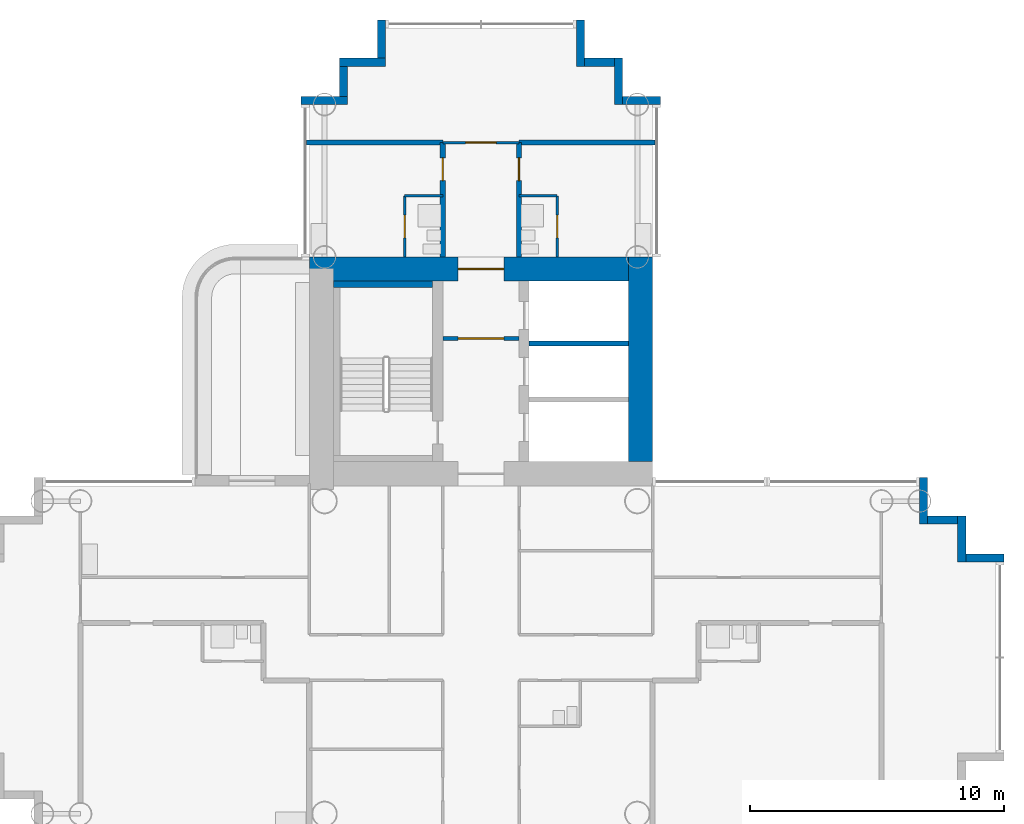
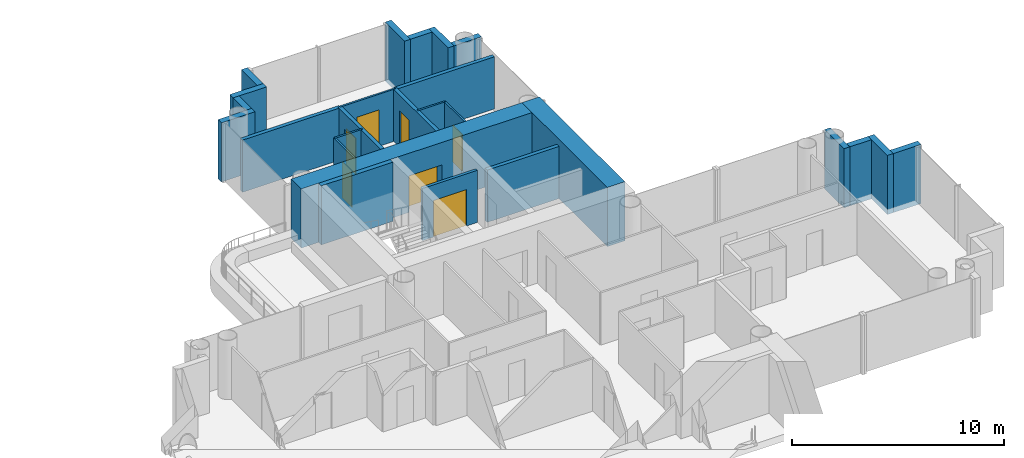
# One storey, part 14 of 21: 26 walls, 7 doors, 7 openings.
"""IFC4 building model written with IfcOpenShell, lengths in metres."""

import ifcopenshell
import ifcopenshell.guid

model = None  # the IFC model being written
_history = None  # IfcOwnerHistory: only IFC2X3 demands one
_inside = {}  # id of a spatial element -> (the spatial element, [elements in it])
_under = {}  # id of a project, library or spatial element -> (it, [spatial elements below it])
_declared = {}  # id of a project -> (the project, [libraries it declares])
_typed = {}  # id of a type object -> (the type object, [elements of that type])
_made_of = {}  # id of a material, layer set ... -> (it, [elements and type objects made of it])


def new_model(schema):
    """Start an empty IFC model of exactly this schema.

    Asked for "IFC4X3", IfcOpenShell would pick the latest addendum, in which some entities
    have other attributes; the version numbers below select the first issue.
    IFC2X3 requires an IfcOwnerHistory on every rooted entity: one is made here for all.
    """
    global model, _history
    if schema == "IFC4X3":
        model = ifcopenshell.file(schema_version=(4, 3, 0, 0))
    else:
        model = ifcopenshell.file(schema=schema)
    _inside.clear()
    _under.clear()
    _declared.clear()
    _typed.clear()
    _made_of.clear()
    _history = None
    if model.schema == "IFC2X3":
        org = make("IfcOrganization", Name="unknown")
        user = make(
            "IfcPersonAndOrganization",
            ThePerson=make("IfcPerson", FamilyName="unknown"),
            TheOrganization=org,
        )
        app = make(
            "IfcApplication",
            ApplicationDeveloper=org,
            Version="unknown",
            ApplicationFullName="unknown",
            ApplicationIdentifier="unknown",
        )
        _history = make(
            "IfcOwnerHistory",
            OwningUser=user,
            OwningApplication=app,
            ChangeAction="ADDED",
            CreationDate=0,
        )
    return model


def make(cls, **values):
    """One entity of the class cls with the attributes given. An attribute that is None is left unset."""
    return model.create_entity(
        cls, **{name: value for name, value in values.items() if value is not None}
    )


def rooted(cls, **values):
    """An entity with a GlobalId (a new one), such as an element, a storey or a relation."""
    return make(cls, GlobalId=ifcopenshell.guid.new(), OwnerHistory=_history, **values)


def si_unit(unit_type, name, prefix=None):
    """IfcSIUnit, for example si_unit("LENGTHUNIT", "METRE", prefix="MILLI")."""
    return make("IfcSIUnit", UnitType=unit_type, Prefix=prefix, Name=name)


def assignment(units):
    """IfcUnitAssignment: the units of a project."""
    return None if units is None else make("IfcUnitAssignment", Units=units)


def point(xyz):
    """IfcCartesianPoint."""
    return None if xyz is None else make("IfcCartesianPoint", Coordinates=xyz)


def direction(xyz):
    """IfcDirection."""
    return None if xyz is None else make("IfcDirection", DirectionRatios=xyz)


def frame(location, z_axis=None, x_axis=None):
    """IfcAxis2Placement3D, a coordinate frame: its origin and axes. An axis left out is left unset."""
    return make(
        "IfcAxis2Placement3D",
        Location=point(location),
        Axis=direction(z_axis),
        RefDirection=direction(x_axis),
    )


def frame_2d(location, x_axis=None):
    """IfcAxis2Placement2D, a coordinate frame in the plane: its origin and x axis."""
    return make(
        "IfcAxis2Placement2D", Location=point(location), RefDirection=direction(x_axis)
    )


def origin():
    """The frame at (0, 0, 0) with its axes left unset."""
    return frame((0.0, 0.0, 0.0))


def place(relative_to, where):
    """IfcLocalPlacement: puts the frame where relative to a parent placement (None: the world)."""
    return make(
        "IfcLocalPlacement", PlacementRelTo=relative_to, RelativePlacement=where
    )


def context(
    kind, dimensions, precision=None, world=None, true_north=None, identifier=None
):
    """IfcGeometricRepresentationContext, for example the 3D "Model" context."""
    return make(
        "IfcGeometricRepresentationContext",
        ContextIdentifier=identifier,
        ContextType=kind,
        CoordinateSpaceDimension=dimensions,
        Precision=precision,
        WorldCoordinateSystem=world,
        TrueNorth=true_north,
    )


def subcontext(parent, identifier, kind, view, scale=None):
    """IfcGeometricRepresentationSubContext, for example "Body" below "Model"."""
    return make(
        "IfcGeometricRepresentationSubContext",
        ContextIdentifier=identifier,
        ContextType=kind,
        ParentContext=parent,
        TargetScale=scale,
        TargetView=view,
    )


def project(units=None, contexts=None):
    """IfcProject with its units and contexts."""
    return rooted(
        "IfcProject",
        Name="project",
        RepresentationContexts=contexts,
        UnitsInContext=assignment(units),
    )


def spatial(cls, under=None, at=None, **own):
    """A site, building, storey or space (cls), placed at a placement, below another one or the project."""
    s = rooted(cls, ObjectPlacement=at, **own)
    if under is not None:
        _under.setdefault(under.id(), (under, []))[1].append(s)
    return s


def profile(cls, at=None, kind="AREA", **sizes):
    """A parametric profile (cls). Its sizes go by their IFC names, for example OverallWidth=200.0."""
    return make(cls, ProfileType=kind, Position=at, **sizes)


def rectangle(**sizes):
    """IfcRectangleProfileDef."""
    return profile("IfcRectangleProfileDef", **sizes)


def extrude(swept, where, along, depth):
    """IfcExtrudedAreaSolid: the profile swept, set in the frame where, extruded along a direction by depth."""
    return make(
        "IfcExtrudedAreaSolid",
        SweptArea=swept,
        Position=where,
        ExtrudedDirection=direction(along),
        Depth=depth,
    )


def shape(context_of_items, identifier, shape_type, items):
    """IfcShapeRepresentation: the items that make up one representation, for example the "Body"."""
    return make(
        "IfcShapeRepresentation",
        ContextOfItems=context_of_items,
        RepresentationIdentifier=identifier,
        RepresentationType=shape_type,
        Items=items,
    )


def material(Name=None, Category=None):
    """IfcMaterial."""
    return make("IfcMaterial", Name=Name, Category=Category)


def layer(
    of_material, thickness, ventilated=None, Name=None, Category=None, Priority=None
):
    """IfcMaterialLayer: one layer of a wall or slab, of a material (None: an air gap)."""
    return make(
        "IfcMaterialLayer",
        Material=of_material,
        LayerThickness=thickness,
        IsVentilated=ventilated,
        Name=Name,
        Category=Category,
        Priority=Priority,
    )


def layer_set(layers, Name=None):
    """IfcMaterialLayerSet."""
    return make("IfcMaterialLayerSet", MaterialLayers=layers, LayerSetName=Name)


def made_of(thing, what):
    """Note that an element or type object is made of a material, layer set ...; save() writes the relation."""
    if what is not None:
        _made_of.setdefault(what.id(), (what, []))[1].append(thing)
    return thing


def type_object(cls, material=None, **own):
    """A type object (cls), such as IfcWallType, which elements share."""
    return made_of(rooted(cls, **own), material)


def element(
    cls,
    number,
    at=None,
    inside=None,
    cuts=None,
    type_object=None,
    material=None,
    context=None,
    identifier="Body",
    shape_type=None,
    held_by="IfcProductDefinitionShape",
    body=None,
    shapes=None,
    **own,
):
    """One element of the class cls, such as IfcWall. Its Tag is "e" and its number.

    at: its placement. inside: the storey or other place that contains it. cuts: it is an
    opening in that element (IfcRelVoidsElement). A single representation is given by context,
    identifier, shape_type and body (its items); several are given by shapes. held_by: the class
    of the entity that holds the representations. save() writes the other relations.
    """
    e = rooted(cls, Tag="e%d" % number, ObjectPlacement=at, **own)
    if body is not None:
        shapes = [shape(context, identifier, shape_type, body)]
    if shapes is not None:
        e.Representation = make(held_by, Representations=shapes)
    if inside is not None:
        _inside.setdefault(inside.id(), (inside, []))[1].append(e)
    if cuts is not None:
        rooted(
            "IfcRelVoidsElement", RelatingBuildingElement=cuts, RelatedOpeningElement=e
        )
    if type_object is not None:
        _typed.setdefault(type_object.id(), (type_object, []))[1].append(e)
    return made_of(e, material)


def fill(opening, filler):
    """IfcRelFillsElement: the door or window that sits in an opening."""
    return rooted(
        "IfcRelFillsElement",
        RelatingOpeningElement=opening,
        RelatedBuildingElement=filler,
    )


def aggregate(whole, parts):
    """IfcRelAggregates: a whole, such as a stair, and the parts it consists of."""
    return rooted("IfcRelAggregates", RelatingObject=whole, RelatedObjects=parts)


def save(model, path):
    """Write the relations noted so far, then the file.

    IfcRelAggregates (storeys below a building ...), IfcRelContainedInSpatialStructure (elements
    in a storey), IfcRelDefinesByType, IfcRelAssociatesMaterial and IfcRelDeclares: one each for
    every whole, place, type object, material and project.
    """
    for whole, parts in _under.values():
        aggregate(whole, parts)
    for where, things in _inside.values():
        rooted(
            "IfcRelContainedInSpatialStructure",
            RelatedElements=things,
            RelatingStructure=where,
        )
    for kind, things in _typed.values():
        rooted("IfcRelDefinesByType", RelatedObjects=things, RelatingType=kind)
    for what, things in _made_of.values():
        rooted("IfcRelAssociatesMaterial", RelatedObjects=things, RelatingMaterial=what)
    for by, libraries in _declared.values():
        rooted("IfcRelDeclares", RelatingContext=by, RelatedDefinitions=libraries)
    model.write(path)


model = new_model("IFC4")

# Units and contexts
model_context = context("Model", 3, precision=1e-05, world=origin(), true_north=direction((0.0, 1.0)))
body_context = subcontext(model_context, "Body", "Model", "MODEL_VIEW")
ifc_project = project(units=[si_unit("LENGTHUNIT", "METRE"), si_unit("AREAUNIT", "SQUARE_METRE"), si_unit("VOLUMEUNIT", "CUBIC_METRE"), si_unit("PLANEANGLEUNIT", "RADIAN"), si_unit("MASSUNIT", "GRAM", prefix="KILO")], contexts=[model_context])

# Site, building, storey
site_placement = place(None, origin())
site = spatial("IfcSite", under=ifc_project, at=site_placement, CompositionType="ELEMENT")
building_placement = place(site_placement, origin())
building = spatial("IfcBuilding", under=site, at=building_placement, Name="Ipe Terrace Towers", CompositionType="ELEMENT")
storey_placement = place(building_placement, frame((0.0, 0.0, 103.800048828125)))
storey = spatial("IfcBuildingStorey", under=building, at=storey_placement, Name="L28", CompositionType="ELEMENT", Elevation=103.800048828125)

# Walls
ifc_material_1 = material(Name="Concrete C40/50 with buff precast cladding", Category="concrete")
ifc_layer_1 = layer(ifc_material_1, 0.320068359375)
ifc_layer_set_1 = layer_set([ifc_layer_1], Name="BUFF CLADDING WALL 320")
wall_type_1 = type_object("IfcWallType", Name="BUFF CLADDING WALL 320", PredefinedType="STANDARD", material=ifc_layer_set_1)
wall_1_placement = place(storey_placement, frame((56.570068359375, 3.909912109375, -0.300048828125), z_axis=(0.0, 0.0, 1.0), x_axis=(-1.0, 0.0, 0.0)))
element("IfcWall", 1, at=wall_1_placement, inside=storey, type_object=wall_type_1, Name="T2-W-L28-09a wall", PredefinedType="STANDARD", context=body_context, shape_type="SweptSolid", body=[
    extrude(rectangle(XDim=1.5, YDim=0.320068359375, at=frame_2d((0.75, 0.0))), origin(), (0.0, 0.0, 1.0), 3.39990234375),
])
wall_2_placement = place(storey_placement, frame((54.909912109375, 3.75, -0.300048828125), z_axis=(0.0, 0.0, 1.0), x_axis=(0.0, 1.0, 0.0)))
element("IfcWall", 2, at=wall_2_placement, inside=storey, type_object=wall_type_1, Name="T2-W-L28-10a wall", PredefinedType="STANDARD", context=body_context, shape_type="SweptSolid", body=[
    extrude(rectangle(XDim=1.820068359375, YDim=0.320068359375, at=frame_2d((0.91015625, 0.0))), origin(), (0.0, 0.0, 1.0), 3.39990234375),
])
wall_3_placement = place(storey_placement, frame((54.75, 5.409912109375, -0.300048828125), z_axis=(0.0, 0.0, 1.0), x_axis=(-1.0, 0.0, 0.0)))
element("IfcWall", 3, at=wall_3_placement, inside=storey, type_object=wall_type_1, Name="T2-W-L28-11a wall", PredefinedType="STANDARD", context=body_context, shape_type="SweptSolid", body=[
    extrude(rectangle(XDim=1.179931640625, YDim=0.320068359375, at=frame_2d((0.58984375, 0.0))), origin(), (0.0, 0.0, 1.0), 3.39990234375),
])
wall_4_placement = place(storey_placement, frame((53.409912109375, 5.25, -0.300048828125), z_axis=(0.0, 0.0, 1.0), x_axis=(0.0, 1.0, 0.0)))
element("IfcWall", 4, at=wall_4_placement, inside=storey, type_object=wall_type_1, Name="T2-W-L28-12a wall", PredefinedType="STANDARD", context=body_context, shape_type="SweptSolid", body=[
    extrude(rectangle(XDim=1.820068359375, YDim=0.320068359375, at=frame_2d((0.91015625, 0.0))), origin(), (0.0, 0.0, 1.0), 3.39990234375),
])
wall_5_placement = place(storey_placement, frame((43.070068359375, 21.909912109375, -0.300048828125), z_axis=(0.0, 0.0, 1.0), x_axis=(-1.0, 0.0, 0.0)))
element("IfcWall", 5, at=wall_5_placement, inside=storey, type_object=wall_type_1, Name="T2-W-L28-17a wall", PredefinedType="STANDARD", context=body_context, shape_type="SweptSolid", body=[
    extrude(rectangle(XDim=1.5, YDim=0.320068359375, at=frame_2d((0.75, 0.0))), origin(), (0.0, 0.0, 1.0), 3.39990234375),
])
wall_6_placement = place(storey_placement, frame((41.409912109375, 21.75, -0.300048828125), z_axis=(0.0, 0.0, 1.0), x_axis=(0.0, 1.0, 0.0)))
element("IfcWall", 6, at=wall_6_placement, inside=storey, type_object=wall_type_1, Name="T2-W-L28-18a wall", PredefinedType="STANDARD", context=body_context, shape_type="SweptSolid", body=[
    extrude(rectangle(XDim=1.820068359375, YDim=0.320068359375, at=frame_2d((0.91015625, 0.0))), origin(), (0.0, 0.0, 1.0), 3.39990234375),
])
wall_7_placement = place(storey_placement, frame((41.25, 23.409912109375, -0.300048828125), z_axis=(0.0, 0.0, 1.0), x_axis=(-1.0, 0.0, 0.0)))
element("IfcWall", 7, at=wall_7_placement, inside=storey, type_object=wall_type_1, Name="T2-W-L28-19a wall", PredefinedType="STANDARD", context=body_context, shape_type="SweptSolid", body=[
    extrude(rectangle(XDim=1.179931640625, YDim=0.320068359375, at=frame_2d((0.58984375, 0.0))), origin(), (0.0, 0.0, 1.0), 3.39990234375),
])
wall_8_placement = place(storey_placement, frame((39.909912109375, 23.25, -0.300048828125), z_axis=(0.0, 0.0, 1.0), x_axis=(0.0, 1.0, 0.0)))
element("IfcWall", 8, at=wall_8_placement, inside=storey, type_object=wall_type_1, Name="T2-W-L28-20a wall", PredefinedType="STANDARD", context=body_context, shape_type="SweptSolid", body=[
    extrude(rectangle(XDim=1.820068359375, YDim=0.320068359375, at=frame_2d((0.91015625, 0.0))), origin(), (0.0, 0.0, 1.0), 3.39990234375),
])
wall_9_placement = place(storey_placement, frame((32.090087890625, 25.070068359375, -0.300048828125), z_axis=(0.0, 0.0, 1.0), x_axis=(0.0, -1.0, 0.0)))
element("IfcWall", 9, at=wall_9_placement, inside=storey, type_object=wall_type_1, Name="T2-W-L28-22a wall", PredefinedType="STANDARD", context=body_context, shape_type="SweptSolid", body=[
    extrude(rectangle(XDim=1.5, YDim=0.320068359375, at=frame_2d((0.75, 0.0))), origin(), (0.0, 0.0, 1.0), 3.39990234375),
])
wall_10_placement = place(storey_placement, frame((32.25, 23.409912109375, -0.300048828125), z_axis=(0.0, 0.0, 1.0), x_axis=(-1.0, 0.0, 0.0)))
element("IfcWall", 10, at=wall_10_placement, inside=storey, type_object=wall_type_1, Name="T2-W-L28-23a wall", PredefinedType="STANDARD", context=body_context, shape_type="SweptSolid", body=[
    extrude(rectangle(XDim=1.820068359375, YDim=0.320068359375, at=frame_2d((0.91015625, 0.0))), origin(), (0.0, 0.0, 1.0), 3.39990234375),
])
wall_11_placement = place(storey_placement, frame((30.590087890625, 23.25, -0.300048828125), z_axis=(0.0, 0.0, 1.0), x_axis=(0.0, -1.0, 0.0)))
element("IfcWall", 11, at=wall_11_placement, inside=storey, type_object=wall_type_1, Name="T2-W-L28-24a wall", PredefinedType="STANDARD", context=body_context, shape_type="SweptSolid", body=[
    extrude(rectangle(XDim=1.179931640625, YDim=0.320068359375, at=frame_2d((0.58984375, 0.0))), origin(), (0.0, 0.0, 1.0), 3.39990234375),
])
wall_12_placement = place(storey_placement, frame((30.75, 21.909912109375, -0.300048828125), z_axis=(0.0, 0.0, 1.0), x_axis=(-1.0, 0.0, 0.0)))
element("IfcWall", 12, at=wall_12_placement, inside=storey, type_object=wall_type_1, Name="T2-W-L28-25a wall", PredefinedType="STANDARD", context=body_context, shape_type="SweptSolid", body=[
    extrude(rectangle(XDim=1.820068359375, YDim=0.320068359375, at=frame_2d((0.91015625, 0.0))), origin(), (0.0, 0.0, 1.0), 3.39990234375),
])
ifc_material_2 = material(Name="Gypsum board partition", Category="plasterboard")
ifc_layer_2 = layer(ifc_material_2, 0.10009765625)
ifc_layer_set_2 = layer_set([ifc_layer_2], Name="Gypsum board partition 100 mm")
wall_type_2 = type_object("IfcWallType", Name="Gypsum board partition 100 mm", PredefinedType="PARTITIONING", material=ifc_layer_set_2)
for number, where, z_axis, x_axis, name in (
    (13, (39.0, 18.14990234375, 0.0), (0.0, 0.0, 1.0), (-1.0, 0.0, 0.0), "Gypsum board partition T2 L28 W16"),
    (14, (34.5, 18.14990234375, 0.0), (0.0, 0.0, 1.0), (-1.0, 0.0, 0.0), "Gypsum board partition T2 L28 W17"),
):
    element("IfcWall", number, at=place(storey_placement, frame(where, z_axis=z_axis, x_axis=x_axis)), inside=storey, type_object=wall_type_2, Name=name, PredefinedType="PARTITIONING", context=body_context, shape_type="SweptSolid", body=[
        extrude(rectangle(XDim=1.5, YDim=0.10009765625, at=frame_2d((0.75, 0.0))), origin(), (0.0, 0.0, 1.0), 3.0),
    ])

# Wall, opening, door
wall_13_placement = place(storey_placement, frame((37.5, 20.25, 0.0), z_axis=(0.0, 0.0, 1.0), x_axis=(-1.0, 0.0, 0.0)))
wall_13 = element("IfcWall", 15, at=wall_13_placement, inside=storey, type_object=wall_type_2, Name="Gypsum board partition T2 L28 W18", PredefinedType="PARTITIONING", context=body_context, shape_type="SweptSolid", body=[
    extrude(rectangle(XDim=3.0, YDim=0.10009765625, at=frame_2d((1.5, 0.0))), origin(), (0.0, 0.0, 1.0), 3.0),
])
opening_1_placement = place(wall_13_placement, frame((0.89990234375, 0.0, 0.0)))
opening_1 = element("IfcOpeningElement", 16, at=opening_1_placement, cuts=wall_13, Name="Opening T2-Z2E-21", PredefinedType="OPENING", context=body_context, shape_type="SweptSolid", body=[
    extrude(rectangle(XDim=1.199951171875, YDim=2.10009765625, at=frame_2d((0.60009765625, 1.050048828125))), frame((0.0, 0.06005859375, 0.0), z_axis=(0.0, -1.0, 0.0), x_axis=(1.0, 0.0, 0.0)), (0.0, 0.0, 1.0), 0.1201171875),
])
ifc_material_3 = material(Name="Timber door leaf", Category="wood")
door_type_1 = type_object("IfcDoorType", Name="Lounge door 1200 x 2100", OperationType="NOTDEFINED", PredefinedType="DOOR", material=ifc_material_3)
door_1_placement = place(opening_1_placement, origin())
door_1 = element("IfcDoor", 17, at=door_1_placement, inside=storey, type_object=door_type_1, Name="Lounge door T2-Z2E-21", OperationType="SINGLE_SWING_RIGHT", OverallHeight=2.10009765625, OverallWidth=1.199951171875, PredefinedType="DOOR", context=body_context, shape_type="SweptSolid", body=[
    extrude(rectangle(XDim=1.199951171875, YDim=2.10009765625, at=frame_2d((0.60009765625, 1.050048828125))), frame((0.0, 0.02490234375, 0.0), z_axis=(0.0, -1.0, 0.0), x_axis=(1.0, 0.0, 0.0)), (0.0, 0.0, 1.0), 0.050048828125),
])
fill(opening_1, door_1)

wall_14_placement = place(storey_placement, frame((39.0, 15.75, 0.0), z_axis=(0.0, 0.0, 1.0), x_axis=(0.0, 1.0, 0.0)))
wall_14 = element("IfcWall", 18, at=wall_14_placement, inside=storey, type_object=wall_type_2, Name="Gypsum board partition T2 L28 W28", PredefinedType="PARTITIONING", context=body_context, shape_type="SweptSolid", body=[
    extrude(rectangle(XDim=2.39990234375, YDim=0.10009765625, at=frame_2d((1.199951171875, 0.0))), origin(), (0.0, 0.0, 1.0), 3.0),
])
opening_2_placement = place(wall_14_placement, frame((0.75, 0.0, 0.0)))
opening_2 = element("IfcOpeningElement", 19, at=opening_2_placement, cuts=wall_14, Name="Opening T2-Z2E-20", PredefinedType="OPENING", context=body_context, shape_type="SweptSolid", body=[
    extrude(rectangle(XDim=0.89990234375, YDim=2.10009765625, at=frame_2d((0.449951171875, 1.050048828125))), frame((0.0, 0.06005859375, 0.0), z_axis=(0.0, -1.0, 0.0), x_axis=(1.0, 0.0, 0.0)), (0.0, 0.0, 1.0), 0.1201171875),
])
ifc_material_4 = material(Name="Timber door leaf", Category="wood")
door_type_2 = type_object("IfcDoorType", Name="Bathroom door 900 x 2100", OperationType="NOTDEFINED", PredefinedType="DOOR", material=ifc_material_4)
door_2_placement = place(opening_2_placement, origin())
door_2 = element("IfcDoor", 20, at=door_2_placement, inside=storey, type_object=door_type_2, Name="Bathroom door T2-Z2E-20", OperationType="SINGLE_SWING_LEFT", OverallHeight=2.10009765625, OverallWidth=0.89990234375, PredefinedType="DOOR", context=body_context, shape_type="SweptSolid", body=[
    extrude(rectangle(XDim=0.89990234375, YDim=2.10009765625, at=frame_2d((0.449951171875, 1.050048828125))), frame((0.0, 0.02490234375, 0.0), z_axis=(0.0, -1.0, 0.0), x_axis=(1.0, 0.0, 0.0)), (0.0, 0.0, 1.0), 0.050048828125),
])
fill(opening_2, door_2)

wall_15_placement = place(storey_placement, frame((33.0, 15.75, 0.0), z_axis=(0.0, 0.0, 1.0), x_axis=(0.0, 1.0, 0.0)))
wall_15 = element("IfcWall", 21, at=wall_15_placement, inside=storey, type_object=wall_type_2, Name="Gypsum board partition T2 L28 W35", PredefinedType="PARTITIONING", context=body_context, shape_type="SweptSolid", body=[
    extrude(rectangle(XDim=2.39990234375, YDim=0.10009765625, at=frame_2d((1.199951171875, 0.0))), origin(), (0.0, 0.0, 1.0), 3.0),
])
opening_3_placement = place(wall_15_placement, frame((0.75, 0.0, 0.0)))
opening_3 = element("IfcOpeningElement", 22, at=opening_3_placement, cuts=wall_15, Name="Opening T2-Z2E-18", PredefinedType="OPENING", context=body_context, shape_type="SweptSolid", body=[
    extrude(rectangle(XDim=0.89990234375, YDim=2.10009765625, at=frame_2d((0.449951171875, 1.050048828125))), frame((0.0, 0.06005859375, 0.0), z_axis=(0.0, -1.0, 0.0), x_axis=(1.0, 0.0, 0.0)), (0.0, 0.0, 1.0), 0.1201171875),
])
door_3_placement = place(opening_3_placement, origin())
door_3 = element("IfcDoor", 23, at=door_3_placement, inside=storey, type_object=door_type_2, Name="Bathroom door T2-Z2E-18", OperationType="SINGLE_SWING_RIGHT", OverallHeight=2.10009765625, OverallWidth=0.89990234375, PredefinedType="DOOR", context=body_context, shape_type="SweptSolid", body=[
    extrude(rectangle(XDim=0.89990234375, YDim=2.10009765625, at=frame_2d((0.449951171875, 1.050048828125))), frame((0.0, 0.02490234375, 0.0), z_axis=(0.0, -1.0, 0.0), x_axis=(1.0, 0.0, 0.0)), (0.0, 0.0, 1.0), 0.050048828125),
])
fill(opening_3, door_3)

ifc_material_5 = material(Name="Gypsum board partition", Category="plasterboard")
ifc_layer_3 = layer(ifc_material_5, 0.14990234375)
ifc_layer_set_3 = layer_set([ifc_layer_3], Name="Gypsum board partition 150 mm")
wall_type_3 = type_object("IfcWallType", Name="Gypsum board partition 150 mm", PredefinedType="PARTITIONING", material=ifc_layer_set_3)
wall_16_placement = place(storey_placement, frame((37.5, 12.550048828125, 0.0), z_axis=(0.0, 0.0, 1.0), x_axis=(-1.0, 0.0, 0.0)))
wall_16 = element("IfcWall", 24, at=wall_16_placement, inside=storey, type_object=wall_type_3, Name="Gypsum board partition T2 L28 t2c1-lobby-wall", PredefinedType="PARTITIONING", context=body_context, shape_type="SweptSolid", body=[
    extrude(rectangle(XDim=3.0, YDim=0.14990234375, at=frame_2d((1.5, 0.0))), origin(), (0.0, 0.0, 1.0), 3.0),
])
opening_4_placement = place(wall_16_placement, frame((0.60009765625, 0.0, 0.0)))
opening_4 = element("IfcOpeningElement", 25, at=opening_4_placement, cuts=wall_16, Name="Opening T2C1-VD", PredefinedType="OPENING", context=body_context, shape_type="SweptSolid", body=[
    extrude(rectangle(XDim=1.800048828125, YDim=2.10009765625, at=frame_2d((0.89990234375, 1.050048828125))), frame((0.0, 0.0849609375, 0.0), z_axis=(0.0, -1.0, 0.0), x_axis=(1.0, 0.0, 0.0)), (0.0, 0.0, 1.0), 0.169921875),
])
ifc_material_6 = material(Name="Fire-rated timber door leaf", Category="wood")
door_type_3 = type_object("IfcDoorType", Name="Lobby door 1800 x 2100 FD60", OperationType="NOTDEFINED", PredefinedType="DOOR", material=ifc_material_6)
door_4_placement = place(opening_4_placement, origin())
door_4 = element("IfcDoor", 26, at=door_4_placement, inside=storey, type_object=door_type_3, Name="Lobby door T2C1-VD", OperationType="SINGLE_SWING_LEFT", OverallHeight=2.10009765625, OverallWidth=1.800048828125, PredefinedType="DOOR", context=body_context, shape_type="SweptSolid", body=[
    extrude(rectangle(XDim=1.800048828125, YDim=2.10009765625, at=frame_2d((0.89990234375, 1.050048828125))), frame((0.0, 0.02490234375, 0.0), z_axis=(0.0, -1.0, 0.0), x_axis=(1.0, 0.0, 0.0)), (0.0, 0.0, 1.0), 0.050048828125),
])
fill(opening_4, door_4)

# Walls
ifc_material_7 = material(Name="Gypsum board party wall", Category="plasterboard")
ifc_layer_4 = layer(ifc_material_7, 0.199951171875)
ifc_layer_set_4 = layer_set([ifc_layer_4], Name="Gypsum board party wall 200 mm")
wall_type_4 = type_object("IfcWallType", Name="Gypsum board party wall 200 mm", PredefinedType="SOLIDWALL", material=ifc_layer_set_4)
wall_17_placement = place(storey_placement, frame((41.800048828125, 12.35009765625, 0.0), z_axis=(0.0, 0.0, 1.0), x_axis=(-1.0, 0.0, 0.0)))
element("IfcWall", 27, at=wall_17_placement, inside=storey, type_object=wall_type_4, Name="Gypsum board party wall T2 L28 t2c1-shaft-div2", PredefinedType="SOLIDWALL", context=body_context, shape_type="SweptSolid", body=[
    extrude(rectangle(XDim=3.900146484375, YDim=0.199951171875, at=frame_2d((1.9501953125, 0.0))), origin(), (0.0, 0.0, 1.0), 3.0),
])
for number, where, z_axis, x_axis, name in (
    (28, (42.85009765625, 20.25, 0.0), (0.0, 0.0, 1.0), (-1.0, 0.0, 0.0), "Gypsum board party wall T2 L28 W19"),
    (29, (34.5, 20.25, 0.0), (0.0, 0.0, 1.0), (-1.0, 0.0, 0.0), "Gypsum board party wall T2 L28 W20"),
):
    element("IfcWall", number, at=place(storey_placement, frame(where, z_axis=z_axis, x_axis=x_axis)), inside=storey, type_object=wall_type_4, Name=name, PredefinedType="SOLIDWALL", context=body_context, shape_type="SweptSolid", body=[
        extrude(rectangle(XDim=5.35009765625, YDim=0.199951171875, at=frame_2d((2.675048828125, 0.0))), origin(), (0.0, 0.0, 1.0), 3.0),
    ])

# Wall, opening, door
wall_18_placement = place(storey_placement, frame((37.5, 15.75, 0.0), z_axis=(0.0, 0.0, 1.0), x_axis=(0.0, 1.0, 0.0)))
wall_18 = element("IfcWall", 30, at=wall_18_placement, inside=storey, type_object=wall_type_4, Name="Gypsum board party wall T2 L28 W31", PredefinedType="SOLIDWALL", context=body_context, shape_type="SweptSolid", body=[
    extrude(rectangle(XDim=4.5, YDim=0.199951171875, at=frame_2d((2.25, 0.0))), origin(), (0.0, 0.0, 1.0), 3.0),
])
opening_5_placement = place(wall_18_placement, frame((3.0, 0.0, 0.0)))
opening_5 = element("IfcOpeningElement", 31, at=opening_5_placement, cuts=wall_18, Name="Opening T2-Z2E-19", PredefinedType="OPENING", context=body_context, shape_type="SweptSolid", body=[
    extrude(rectangle(XDim=0.89990234375, YDim=2.10009765625, at=frame_2d((0.449951171875, 1.050048828125))), frame((0.0, 0.10986328125, 0.0), z_axis=(0.0, -1.0, 0.0), x_axis=(1.0, 0.0, 0.0)), (0.0, 0.0, 1.0), 0.219970703125),
])
ifc_material_8 = material(Name="Fire-rated timber door leaf", Category="wood")
door_type_4 = type_object("IfcDoorType", Name="Flat entrance door 900 x 2100 FD30S", OperationType="NOTDEFINED", PredefinedType="DOOR", material=ifc_material_8)
door_5_placement = place(opening_5_placement, origin())
door_5 = element("IfcDoor", 32, at=door_5_placement, inside=storey, type_object=door_type_4, Name="Flat entrance door T2-Z2E-19", OperationType="SINGLE_SWING_RIGHT", OverallHeight=2.10009765625, OverallWidth=0.89990234375, PredefinedType="DOOR", context=body_context, shape_type="SweptSolid", body=[
    extrude(rectangle(XDim=0.89990234375, YDim=2.10009765625, at=frame_2d((0.449951171875, 1.050048828125))), frame((0.0, 0.02490234375, 0.0), z_axis=(0.0, -1.0, 0.0), x_axis=(1.0, 0.0, 0.0)), (0.0, 0.0, 1.0), 0.050048828125),
])
fill(opening_5, door_5)

wall_19_placement = place(storey_placement, frame((34.5, 15.75, 0.0), z_axis=(0.0, 0.0, 1.0), x_axis=(0.0, 1.0, 0.0)))
wall_19 = element("IfcWall", 33, at=wall_19_placement, inside=storey, type_object=wall_type_4, Name="Gypsum board party wall T2 L28 W34", PredefinedType="SOLIDWALL", context=body_context, shape_type="SweptSolid", body=[
    extrude(rectangle(XDim=4.5, YDim=0.199951171875, at=frame_2d((2.25, 0.0))), origin(), (0.0, 0.0, 1.0), 3.0),
])
opening_6_placement = place(wall_19_placement, frame((3.0, 0.0, 0.0)))
opening_6 = element("IfcOpeningElement", 34, at=opening_6_placement, cuts=wall_19, Name="Opening T2-Z2E-17", PredefinedType="OPENING", context=body_context, shape_type="SweptSolid", body=[
    extrude(rectangle(XDim=0.89990234375, YDim=2.10009765625, at=frame_2d((0.449951171875, 1.050048828125))), frame((0.0, 0.10986328125, 0.0), z_axis=(0.0, -1.0, 0.0), x_axis=(1.0, 0.0, 0.0)), (0.0, 0.0, 1.0), 0.219970703125),
])
door_6_placement = place(opening_6_placement, origin())
door_6 = element("IfcDoor", 35, at=door_6_placement, inside=storey, type_object=door_type_4, Name="Flat entrance door T2-Z2E-17", OperationType="SINGLE_SWING_LEFT", OverallHeight=2.10009765625, OverallWidth=0.89990234375, PredefinedType="DOOR", context=body_context, shape_type="SweptSolid", body=[
    extrude(rectangle(XDim=0.89990234375, YDim=2.10009765625, at=frame_2d((0.449951171875, 1.050048828125))), frame((0.0, 0.02490234375, 0.0), z_axis=(0.0, -1.0, 0.0), x_axis=(1.0, 0.0, 0.0)), (0.0, 0.0, 1.0), 0.050048828125),
])
fill(opening_6, door_6)

# Walls
ifc_material_9 = material(Name="Concrete C50/60", Category="concrete")
ifc_layer_5 = layer(ifc_material_9, 0.25)
ifc_layer_set_5 = layer_set([ifc_layer_5], Name="RW250 CORE INFILL WALL 250 C50-60")
wall_type_5 = type_object("IfcWallType", Name="RW250 CORE INFILL WALL 250 C50-60", PredefinedType="SHEAR", material=ifc_layer_set_5)
wall_20_placement = place(storey_placement, frame((34.10009765625, 14.675048828125, 0.0), z_axis=(0.0, 0.0, 1.0), x_axis=(-1.0, 0.0, 0.0)))
element("IfcWall", 36, at=wall_20_placement, inside=storey, type_object=wall_type_5, Name="Core infill wall T2-C1-far", PredefinedType="SHEAR", context=body_context, shape_type="SweptSolid", body=[
    extrude(rectangle(XDim=3.900146484375, YDim=0.25, at=frame_2d((1.9501953125, 0.0))), origin(), (0.0, 0.0, 1.0), 3.39990234375),
])
ifc_material_10 = material(Name="Concrete C50/60", Category="concrete")
ifc_layer_6 = layer(ifc_material_10, 0.949951171875)
ifc_layer_set_6 = layer_set([ifc_layer_6], Name="RW950 CORE WALL 950 C50-60")
wall_type_6 = type_object("IfcWallType", Name="RW950 CORE WALL 950 C50-60", PredefinedType="SHEAR", material=ifc_layer_set_6)
wall_21_placement = place(storey_placement, frame((42.27490234375, 7.699951171875, 0.0), z_axis=(0.0, 0.0, 1.0), x_axis=(0.0, 1.0, 0.0)))
element("IfcWall", 37, at=wall_21_placement, inside=storey, type_object=wall_type_6, Name="Core wall T2-C1-Z2-W02", PredefinedType="SHEAR", context=body_context, shape_type="SweptSolid", body=[
    extrude(rectangle(XDim=8.050048828125, YDim=0.949951171875, at=frame_2d((4.02490234375, 0.0))), origin(), (0.0, 0.0, 1.0), 3.39990234375),
])

# Wall, opening, door
wall_22_placement = place(storey_placement, frame((41.800048828125, 15.27490234375, 0.0), z_axis=(0.0, 0.0, 1.0), x_axis=(-1.0, 0.0, 0.0)))
wall_22 = element("IfcWall", 38, at=wall_22_placement, inside=storey, type_object=wall_type_6, Name="Core wall T2-C1-Z2-W03", PredefinedType="SHEAR", context=body_context, shape_type="SweptSolid", body=[
    extrude(rectangle(XDim=12.550048828125, YDim=0.949951171875, at=frame_2d((6.27490234375, 0.0))), origin(), (0.0, 0.0, 1.0), 3.39990234375),
])
opening_7_placement = place(wall_22_placement, frame((4.89990234375, 0.0, 0.0)))
opening_7 = element("IfcOpeningElement", 39, at=opening_7_placement, cuts=wall_22, Name="Opening T2C1-FD", PredefinedType="OPENING", context=body_context, shape_type="SweptSolid", body=[
    extrude(rectangle(XDim=1.800048828125, YDim=2.10009765625, at=frame_2d((0.89990234375, 1.050048828125))), frame((0.0, 0.48486328125, 0.0), z_axis=(0.0, -1.0, 0.0), x_axis=(1.0, 0.0, 0.0)), (0.0, 0.0, 1.0), 0.969970703125),
])
ifc_material_11 = material(Name="Fire-rated timber door leaf", Category="wood")
door_type_5 = type_object("IfcDoorType", Name="Fire door 1800 x 2100 FD30S", OperationType="NOTDEFINED", PredefinedType="DOOR", material=ifc_material_11)
door_7_placement = place(opening_7_placement, origin())
door_7 = element("IfcDoor", 40, at=door_7_placement, inside=storey, type_object=door_type_5, Name="Fire door T2C1-FD", OperationType="SINGLE_SWING_LEFT", OverallHeight=2.10009765625, OverallWidth=1.800048828125, PredefinedType="DOOR", context=body_context, shape_type="SweptSolid", body=[
    extrude(rectangle(XDim=1.800048828125, YDim=2.10009765625, at=frame_2d((0.89990234375, 1.050048828125))), frame((0.0, 0.02490234375, 0.0), z_axis=(0.0, -1.0, 0.0), x_axis=(1.0, 0.0, 0.0)), (0.0, 0.0, 1.0), 0.050048828125),
])
fill(opening_7, door_7)

save(model, "model.ifc")
